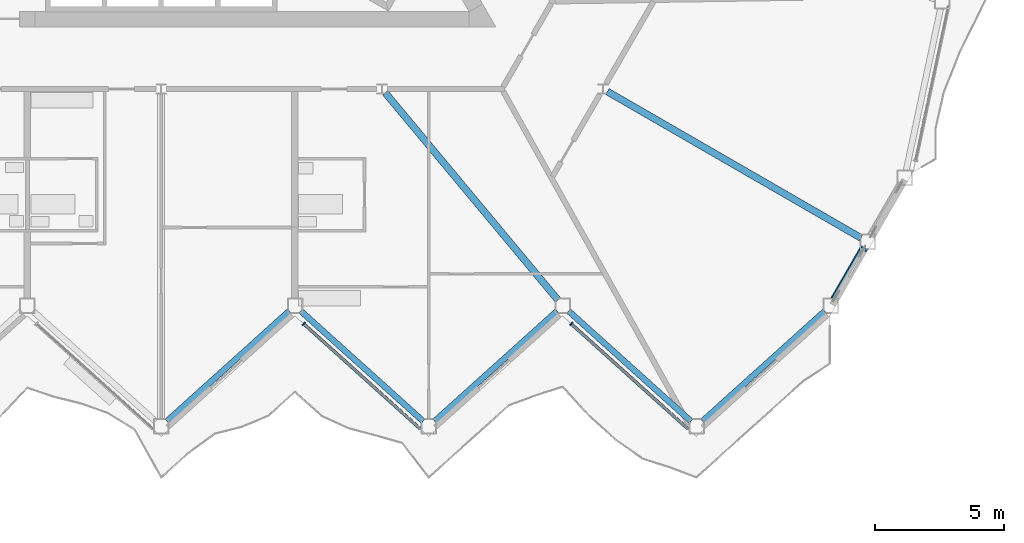
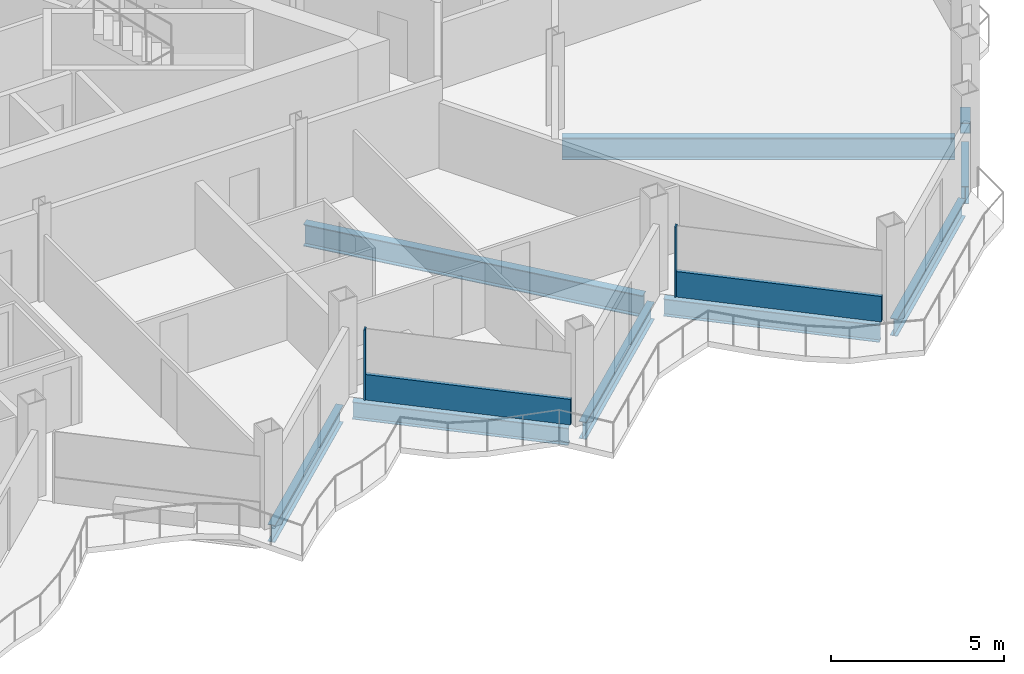
# One storey, part 7 of 26: 8 beams, 5 members, 2 elements without a shape of their own.
"""IFC4 building model written with IfcOpenShell, lengths in metres."""

from ifc_helpers import new_model, si_unit, direction, frame, origin, origin_2d, place, context, subcontext, project, spatial, rectangle, hollow_rectangle, i_section, extrude, material, layer, layer_set, material_profile, profile_set, type_object, element, aggregate, save


model = new_model("IFC4")

# Units and contexts
model_context = context("Model", 3, precision=1e-05, world=origin(), true_north=direction((0.0, 1.0)))
body_context = subcontext(model_context, "Body", "Model", "MODEL_VIEW")
ifc_project = project(units=[si_unit("LENGTHUNIT", "METRE"), si_unit("AREAUNIT", "SQUARE_METRE"), si_unit("VOLUMEUNIT", "CUBIC_METRE"), si_unit("PLANEANGLEUNIT", "RADIAN"), si_unit("MASSUNIT", "GRAM", prefix="KILO")], contexts=[model_context])

# Site, building, storey
site_placement = place(None, origin())
site = spatial("IfcSite", under=ifc_project, at=site_placement, CompositionType="ELEMENT")
building_placement = place(site_placement, origin())
building = spatial("IfcBuilding", under=site, at=building_placement, Name="Cormorant Prow Tower", CompositionType="ELEMENT")
storey_placement = place(building_placement, frame((0.0, 0.0, 325.60009765625)))
storey = spatial("IfcBuildingStorey", under=building, at=storey_placement, Name="L72", CompositionType="ELEMENT", Elevation=325.60009765625)

# Member
ifc_material_1 = material(Name="Structural steel ASTM A500 Gr C", Category="steel")
ifc_material_profile_1 = material_profile(ifc_material_1, hollow_rectangle(XDim=0.3046875, YDim=0.3046875, WallThickness=0.01171875, at=origin_2d()), Name="HSS12x12x1/2")
ifc_profile_set_1 = profile_set([ifc_material_profile_1], Name="Structural steel ASTM A500 Gr C")
member_type_1 = type_object("IfcMemberType", Name="Chamfer brace HSS12x12x1/2", PredefinedType="BRACE", material=ifc_profile_set_1)
member_1_placement = place(storey_placement, frame((27.27490234375, -16.110595703125, 0.740966796875), z_axis=(-0.456247183882, -0.790292391402, 0.408994429415), x_axis=(0.866038851724, -0.499976706761, 0.0)))
element("IfcMember", 1, at=member_1_placement, inside=storey, type_object=member_type_1, Name="Chamfer brace BR3 at ESE00 L72", PredefinedType="BRACE", context=body_context, shape_type="SweptSolid", body=[
    extrude(hollow_rectangle(XDim=0.3046875, YDim=0.3046875, WallThickness=0.01171875, at=origin_2d()), origin(), (0.0, 0.0, 1.0), 2.459228515625),
])

# Beams
ifc_material_2 = material(Name="Structural steel ASTM A992 Gr 50", Category="steel")
ifc_material_profile_2 = material_profile(ifc_material_2, i_section(OverallWidth=0.267822265625, OverallDepth=0.77001953125, WebThickness=0.015625, FlangeThickness=0.025390625, at=origin_2d()), Name="W30x132")
ifc_profile_set_2 = profile_set([ifc_material_profile_2], Name="Structural steel ASTM A992 Gr 50")
beam_type_1 = type_object("IfcBeamType", Name="Radial floor beam W30x132", PredefinedType="BEAM", material=ifc_profile_set_2)
beam_1_placement = place(storey_placement, frame((8.705078125, -10.057373046875, -0.68505859375), z_axis=(0.640239469619, -0.768175384624, 0.0), x_axis=(0.768175384624, 0.640239469619, 0.0)))
element("IfcBeam", 2, at=beam_1_placement, inside=storey, type_object=beam_type_1, Name="Radial floor beam FB3 8 L72", PredefinedType="BEAM", context=body_context, shape_type="SweptSolid", body=[
    extrude(i_section(OverallWidth=0.267822265625, OverallDepth=0.77001953125, WebThickness=0.015625, FlangeThickness=0.025390625, at=origin_2d()), origin(), (0.0, 0.0, 1.0), 10.465087890625),
])
beam_2_placement = place(storey_placement, frame((17.328125, -10.00439453125, -0.68505859375), z_axis=(0.866024637028, -0.500001328059, 0.0), x_axis=(0.500001328059, 0.866024637028, 0.0)))
element("IfcBeam", 3, at=beam_2_placement, inside=storey, type_object=beam_type_1, Name="Radial floor beam FB3 9 L72", PredefinedType="BEAM", context=body_context, shape_type="SweptSolid", body=[
    extrude(i_section(OverallWidth=0.267822265625, OverallDepth=0.77001953125, WebThickness=0.015625, FlangeThickness=0.025390625, at=origin_2d()), origin(), (0.0, 0.0, 1.0), 11.3671875),
])

# Curtain wall, member
ifc_material_3 = material(Name="Aluminium 6063-T6", Category="aluminium")
ifc_layer = layer(ifc_material_3, 0.159912109375)
ifc_layer_set = layer_set([ifc_layer], Name="Aluminium 6063-T6")
curtain_wall_type = type_object("IfcCurtainWallType", Name="Residential unitised curtain wall 160", PredefinedType="NOTDEFINED", material=ifc_layer_set)
curtain_wall_1_placement = place(storey_placement, origin())
curtain_wall_1 = element("IfcCurtainWall", 4, at=curtain_wall_1_placement, inside=storey, type_object=curtain_wall_type, Name="Residential curtain wall S06", PredefinedType="NOTDEFINED")
ifc_material_4 = material(Name="Aluminium 6063-T6", Category="aluminium")
ifc_material_profile_3 = material_profile(ifc_material_4, rectangle(XDim=0.159912109375, YDim=0.050048828125, at=origin_2d()), Name="Residential mullion 50x160")
ifc_profile_set_3 = profile_set([ifc_material_profile_3], Name="Aluminium 6063-T6")
member_type_2 = type_object("IfcMemberType", Name="Residential mullion 50x160", PredefinedType="MULLION", material=ifc_profile_set_3)
member_2_placement = place(storey_placement, frame((5.535888671875, -19.025146484375, 0.0), z_axis=(0.0, 0.0, 1.0), x_axis=(0.669130654479, 0.74314478215, 0.0)))
member_2 = element("IfcMember", 5, at=member_2_placement, type_object=member_type_2, Name="Residential mullion S06", PredefinedType="MULLION", context=body_context, shape_type="SweptSolid", body=[
    extrude(rectangle(XDim=0.159912109375, YDim=0.050048828125, at=origin_2d()), origin(), (0.0, 0.0, 1.0), 2.48779296875),
])

curtain_wall_2_placement = place(storey_placement, origin())
curtain_wall_2 = element("IfcCurtainWall", 6, at=curtain_wall_2_placement, inside=storey, type_object=curtain_wall_type, Name="Residential curtain wall S08", PredefinedType="NOTDEFINED")
member_3_placement = place(storey_placement, frame((15.92529296875, -19.025146484375, 0.0), z_axis=(0.0, 0.0, 1.0), x_axis=(0.669130654479, 0.74314478215, 0.0)))
member_3 = element("IfcMember", 7, at=member_3_placement, type_object=member_type_2, Name="Residential mullion S08", PredefinedType="MULLION", context=body_context, shape_type="SweptSolid", body=[
    extrude(rectangle(XDim=0.159912109375, YDim=0.050048828125, at=origin_2d()), origin(), (0.0, 0.0, 1.0), 2.48779296875),
])

# Member
ifc_material_5 = material(Name="Terracotta", Category="masonry")
ifc_material_profile_4 = material_profile(ifc_material_5, rectangle(XDim=0.1201171875, YDim=0.89990234375, at=origin_2d()), Name="Residential terracotta spandrel rail 120x900")
ifc_profile_set_4 = profile_set([ifc_material_profile_4], Name="Terracotta")
member_type_3 = type_object("IfcMemberType", Name="Residential terracotta spandrel rail 120x900", PredefinedType="USERDEFINED", material=ifc_profile_set_4)
member_4_placement = place(storey_placement, frame((5.554443359375, -19.0419921875, 0.449951171875), z_axis=(0.74314818338, -0.669126877012, 0.0), x_axis=(0.669126877012, 0.74314818338, 0.0)))
member_4 = element("IfcMember", 8, at=member_4_placement, type_object=member_type_3, Name="Residential spandrel rail S06", ObjectType="TRANSOM", PredefinedType="USERDEFINED", context=body_context, shape_type="SweptSolid", body=[
    extrude(rectangle(XDim=0.1201171875, YDim=0.89990234375, at=origin_2d()), origin(), (0.0, 0.0, 1.0), 6.072021484375),
])

aggregate(curtain_wall_1, [member_2, member_4])

member_5_placement = place(storey_placement, frame((15.94384765625, -19.0419921875, 0.449951171875), z_axis=(0.74314818338, -0.669126877012, 0.0), x_axis=(0.669126877012, 0.74314818338, 0.0)))
member_5 = element("IfcMember", 9, at=member_5_placement, type_object=member_type_3, Name="Residential spandrel rail S08", ObjectType="TRANSOM", PredefinedType="USERDEFINED", context=body_context, shape_type="SweptSolid", body=[
    extrude(rectangle(XDim=0.1201171875, YDim=0.89990234375, at=origin_2d()), origin(), (0.0, 0.0, 1.0), 6.072021484375),
])

aggregate(curtain_wall_2, [member_3, member_5])

# Beams
ifc_material_6 = material(Name="Structural steel ASTM A992 Gr 50", Category="steel")
ifc_material_profile_5 = material_profile(ifc_material_6, i_section(OverallWidth=0.22900390625, OverallDepth=0.612060546875, WebThickness=0.011962890625, FlangeThickness=0.01953125, at=origin_2d()), Name="W24x84")
ifc_profile_set_5 = profile_set([ifc_material_profile_5], Name="Structural steel ASTM A992 Gr 50")
beam_type_2 = type_object("IfcBeamType", Name="Spandrel beam W24x84", PredefinedType="SPANDREL", material=ifc_profile_set_5)
for number, where, z_axis, x_axis, name in (
    (10, (0.222900390625, -22.807373046875, -0.606201171875), (0.743144186555, 0.669131315954, 0.0), (-0.669131315954, 0.743144186555, 0.0), "Spandrel beam SB3 S05-S06 L72"),
    (11, (5.422119140625, -18.527587890625, -0.606201171875), (0.743144186555, -0.669131315954, 0.0), (0.669131315954, 0.743144186555, 0.0), "Spandrel beam SB3 S06-S07 L72"),
    (12, (10.62109375, -22.807373046875, -0.606201171875), (0.743144186555, 0.669131315954, 0.0), (-0.669131315954, 0.743144186555, 0.0), "Spandrel beam SB3 S07-S08 L72"),
):
    element("IfcBeam", number, at=place(storey_placement, frame(where, z_axis=z_axis, x_axis=x_axis)), inside=storey, type_object=beam_type_2, Name=name, PredefinedType="SPANDREL", context=body_context, shape_type="SweptSolid", body=[
        extrude(i_section(OverallWidth=0.22900390625, OverallDepth=0.612060546875, WebThickness=0.011962890625, FlangeThickness=0.01953125, at=origin_2d()), origin(), (0.0, 0.0, 1.0), 6.39599609375),
    ])
beam_3_placement = place(storey_placement, frame((15.820068359375, -18.527587890625, -0.606201171875), z_axis=(0.743161276225, -0.669112335502, 0.0), x_axis=(0.669112335502, 0.743161276225, 0.0)))
element("IfcBeam", 13, at=beam_3_placement, inside=storey, type_object=beam_type_2, Name="Spandrel beam SB3 S08-S09 L72", PredefinedType="SPANDREL", context=body_context, shape_type="SweptSolid", body=[
    extrude(i_section(OverallWidth=0.22900390625, OverallDepth=0.612060546875, WebThickness=0.011962890625, FlangeThickness=0.01953125, at=origin_2d()), origin(), (0.0, 0.0, 1.0), 6.396240234375),
])
beam_4_placement = place(storey_placement, frame((21.019287109375, -22.807373046875, -0.606201171875), z_axis=(0.743144186555, 0.669131315954, 0.0), x_axis=(-0.669131315954, 0.743144186555, 0.0)))
element("IfcBeam", 14, at=beam_4_placement, inside=storey, type_object=beam_type_2, Name="Spandrel beam SB3 S09-ESE00 L72", PredefinedType="SPANDREL", context=body_context, shape_type="SweptSolid", body=[
    extrude(i_section(OverallWidth=0.22900390625, OverallDepth=0.612060546875, WebThickness=0.011962890625, FlangeThickness=0.01953125, at=origin_2d()), origin(), (0.0, 0.0, 1.0), 6.39599609375),
])
beam_5_placement = place(storey_placement, frame((26.1455078125, -18.06689453125, -0.606201171875), z_axis=(0.49997342893, 0.866040744055, 0.0), x_axis=(-0.866040744055, 0.49997342893, 0.0)))
element("IfcBeam", 15, at=beam_5_placement, inside=storey, type_object=beam_type_2, Name="Spandrel beam SB3 ESE00-ESE01 L72", PredefinedType="SPANDREL", context=body_context, shape_type="SweptSolid", body=[
    extrude(i_section(OverallWidth=0.22900390625, OverallDepth=0.612060546875, WebThickness=0.011962890625, FlangeThickness=0.01953125, at=origin_2d()), origin(), (0.0, 0.0, 1.0), 2.2734375),
])

save(model, "model.ifc")
